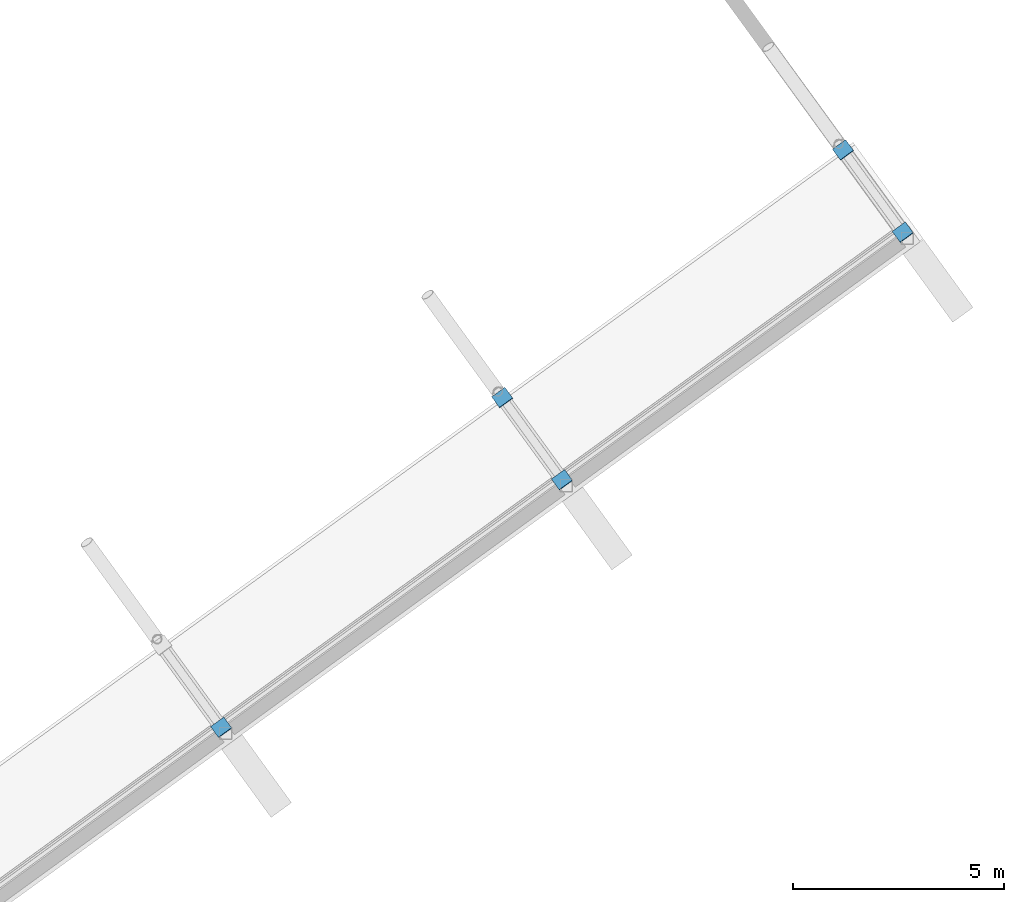
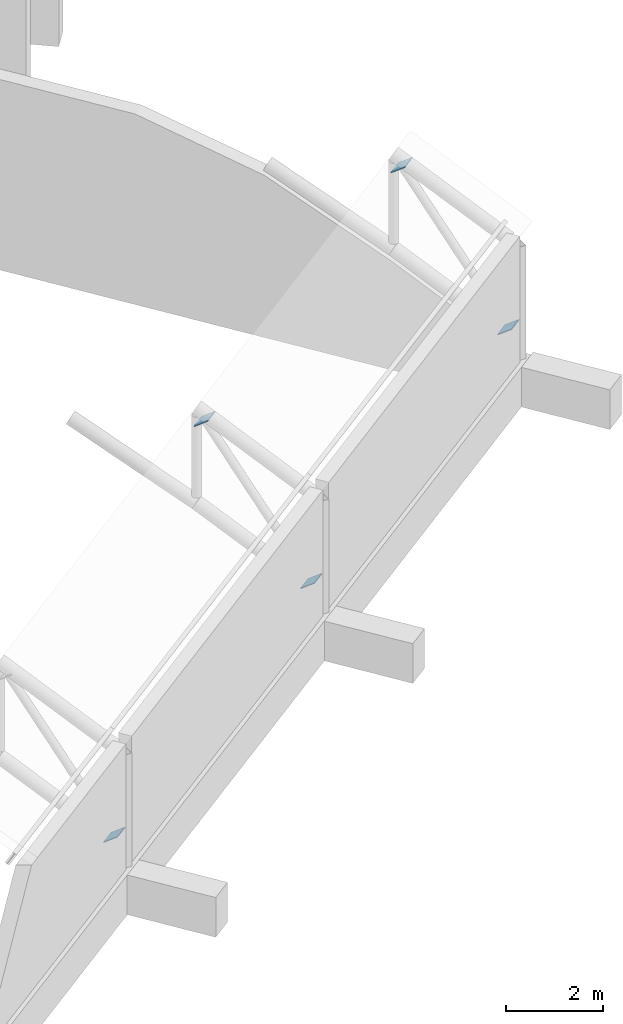
# One storey, part 183 of 196: 5 discrete accessories.
"""IFC4 building model written with IfcOpenShell, lengths in metres."""

from ifc_helpers import new_model, si_unit, direction, frame, origin, origin_2d, place, context, subcontext, project, spatial, rectangle, extrude, material, layer, layer_set, type_object, element, save


model = new_model("IFC4")

# Units and contexts
model_context = context("Model", 3, precision=1e-05, world=origin(), true_north=direction((0.0, 1.0)))
body_context = subcontext(model_context, "Body", "Model", "MODEL_VIEW")
ifc_project = project(units=[si_unit("LENGTHUNIT", "METRE"), si_unit("AREAUNIT", "SQUARE_METRE"), si_unit("VOLUMEUNIT", "CUBIC_METRE"), si_unit("PLANEANGLEUNIT", "RADIAN"), si_unit("MASSUNIT", "GRAM", prefix="KILO")], contexts=[model_context])

# Site, building, storey
site_placement = place(None, origin())
site = spatial("IfcSite", under=ifc_project, at=site_placement, CompositionType="ELEMENT")
building_placement = place(site_placement, origin())
building = spatial("IfcBuilding", under=site, at=building_placement, Name="Okhra Congress Centre", CompositionType="ELEMENT")
storey_placement = place(building_placement, frame((0.0, 0.0, 12.0)))
storey = spatial("IfcBuildingStorey", under=building, at=storey_placement, Name="L02", CompositionType="ELEMENT", Elevation=12.0)

# Discrete accessories
ifc_material = material(Name="Steel S355J2", Category="steel")
ifc_layer = layer(ifc_material, 0.02001953125)
ifc_layer_set = layer_set([ifc_layer], Name="Brace end connection plate 20 mm S355")
discrete_accessory_type = type_object("IfcDiscreteAccessoryType", Name="Brace end connection plate 20 mm S355", PredefinedType="BRACKET", material=ifc_layer_set)
for number, where, z_axis, x_axis, name in (
    (1, (262.064453125, 179.767333984375, 1.705810546875), (0.339699775673, -0.473153258973, -0.812853034645), (0.812323733592, 0.583206783091, 0.0), "Brace end connection plate"),
    (2, (270.154541015625, 185.645263671875, 1.705810546875), (0.339699775673, -0.473153258973, -0.812853034645), (0.812323733592, 0.583206783091, 0.0), "Brace end connection plate"),
    (3, (268.742919921875, 187.587890625, 5.085205078125), (-0.343074401607, 0.47785363081, 0.808675375217), (-0.812323733592, -0.583206783091, 0.0), "Brace end connection plate"),
    (4, (278.24462890625, 191.52294921875, 1.705810546875), (0.341641293262, -0.463656040856, -0.817498808877), (0.805055837353, 0.59319903805, 0.0), "Brace end connection plate"),
):
    element("IfcDiscreteAccessory", number, at=place(storey_placement, frame(where, z_axis=z_axis, x_axis=x_axis)), inside=storey, type_object=discrete_accessory_type, Name=name, PredefinedType="BRACKET", context=body_context, shape_type="SweptSolid", body=[
        extrude(rectangle(XDim=0.386962890625, YDim=0.386962890625, at=origin_2d()), origin(), (0.0, 0.0, 1.0), 0.02001953125),
    ])
discrete_accessory_placement = place(storey_placement, frame((276.833251953125, 193.4658203125, 5.085205078125), z_axis=(-0.345074700913, 0.468315665525, 0.813390366438), x_axis=(-0.805055837353, -0.59319903805, 0.0)))
element("IfcDiscreteAccessory", 5, at=discrete_accessory_placement, inside=storey, type_object=discrete_accessory_type, Name="Brace end connection plate", PredefinedType="BRACKET", context=body_context, shape_type="SweptSolid", body=[
    extrude(rectangle(XDim=0.386962890625, YDim=0.386962890625, at=origin_2d()), origin(), (0.0, 0.0, 1.0), 0.019775390625),
])

save(model, "model.ifc")
